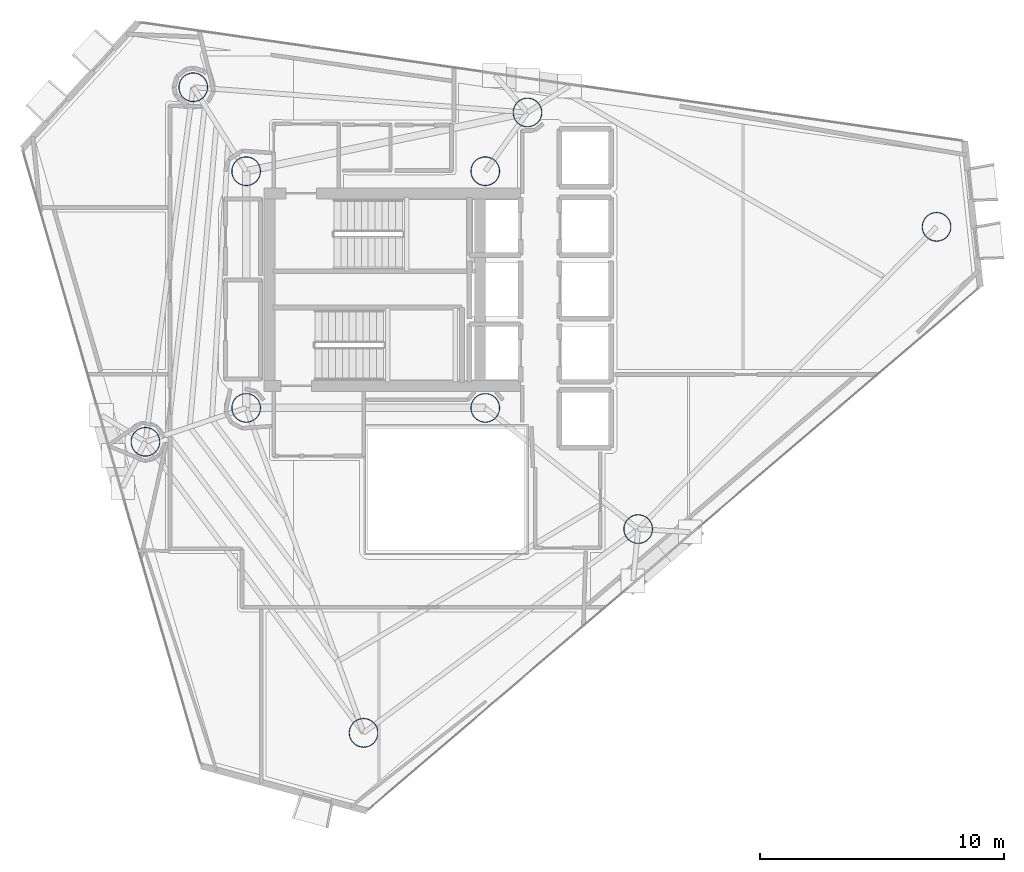
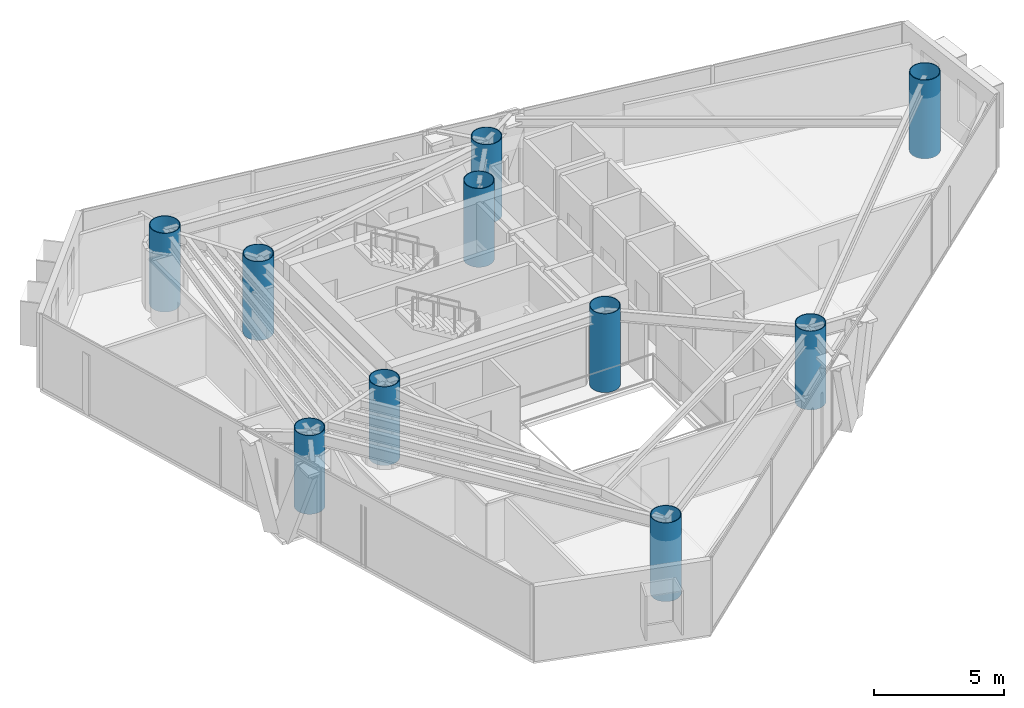
# One storey, part 1 of 23: 10 columns.
"""IFC4 building model written with IfcOpenShell, lengths in metres."""

from ifc_helpers import new_model, si_unit, direction, frame, origin, origin_2d, place, context, subcontext, project, spatial, hollow_circle, extrude, material, material_profile, profile_set, type_object, element, save


model = new_model("IFC4")

# Units and contexts
model_context = context("Model", 3, precision=1e-05, world=origin(), true_north=direction((0.0, 1.0)))
body_context = subcontext(model_context, "Body", "Model", "MODEL_VIEW")
ifc_project = project(units=[si_unit("LENGTHUNIT", "METRE"), si_unit("AREAUNIT", "SQUARE_METRE"), si_unit("VOLUMEUNIT", "CUBIC_METRE"), si_unit("PLANEANGLEUNIT", "RADIAN"), si_unit("MASSUNIT", "GRAM", prefix="KILO")], contexts=[model_context])

# Site, building, storey
site_placement = place(None, origin())
site = spatial("IfcSite", under=ifc_project, at=site_placement, CompositionType="ELEMENT")
building_placement = place(site_placement, origin())
building = spatial("IfcBuilding", under=site, at=building_placement, Name="Qianvela Tower", CompositionType="ELEMENT")
storey_placement = place(building_placement, frame((0.0, 0.0, 215.10009765625)))
storey = spatial("IfcBuildingStorey", under=building, at=storey_placement, Name="L55", CompositionType="ELEMENT", Elevation=215.10009765625)

# Columns
ifc_material = material(Name="Steel Q420GJC", Category="steel")
ifc_material_profile = material_profile(ifc_material, hollow_circle(Radius=0.60009765625, WallThickness=0.030029296875, at=origin_2d()), Name="CFT-1200x30")
ifc_profile_set = profile_set([ifc_material_profile], Name="Steel Q420GJC")
column_type = type_object("IfcColumnType", Name="COL-CFT-1200x30", PredefinedType="COLUMN", material=ifc_profile_set)
for number, where, z_axis, x_axis, name in (
    (1, (28.60009765625, 33.550048828125, 0.0), (0.0, 0.0, 1.0), (1.0, 0.0, 0.0), "L55 Core Corner Mega-Column CC-NW"),
    (2, (28.60009765625, 23.85009765625, 0.0), (0.0, 0.0, 1.0), (1.0, 0.0, 0.0), "L55 Core Corner Mega-Column CC-SW"),
    (3, (38.39990234375, 33.550048828125, 0.0), (0.0, 0.0, 1.0), (1.0, 0.0, 0.0), "L55 Core Corner Mega-Column CC-NE"),
    (4, (38.39990234375, 23.85009765625, 0.0), (0.0, 0.0, 1.0), (1.0, 0.0, 0.0), "L55 Core Corner Mega-Column CC-SE"),
    (5, (56.89697265625, 31.27001953125, 0.0), (0.0, 0.0, 1.0), (1.0, 0.0, 0.0), "L55 Zone Z5 CFT Mega-Column C1"),
    (6, (40.131103515625, 35.9580078125, 0.0), (0.0, 0.0, 1.0), (1.0, 0.0, 0.0), "L55 Zone Z5 CFT Mega-Column C2"),
    (7, (26.430908203125, 36.991943359375, 0.0), (0.0, 0.0, 1.0), (1.0, 0.0, 0.0), "L55 Zone Z5 CFT Mega-Column C3"),
    (8, (24.471923828125, 22.4599609375, 0.0), (0.0, 0.0, 1.0), (1.0, 0.0, 0.0), "L55 Zone Z5 CFT Mega-Column C4"),
    (9, (33.4130859375, 10.531005859375, 0.0), (0.0, 0.0, 1.0), (1.0, 0.0, 0.0), "L55 Zone Z5 CFT Mega-Column C5"),
    (10, (44.6669921875, 18.883056640625, 0.0), (0.0, 0.0, 1.0), (1.0, 0.0, 0.0), "L55 Zone Z5 CFT Mega-Column C6"),
):
    element("IfcColumn", number, at=place(storey_placement, frame(where, z_axis=z_axis, x_axis=x_axis)), inside=storey, type_object=column_type, Name=name, PredefinedType="COLUMN", context=body_context, shape_type="SweptSolid", body=[
        extrude(hollow_circle(Radius=0.60009765625, WallThickness=0.030029296875, at=origin_2d()), origin(), (0.0, 0.0, 1.0), 3.699951171875),
    ])

save(model, "model.ifc")
